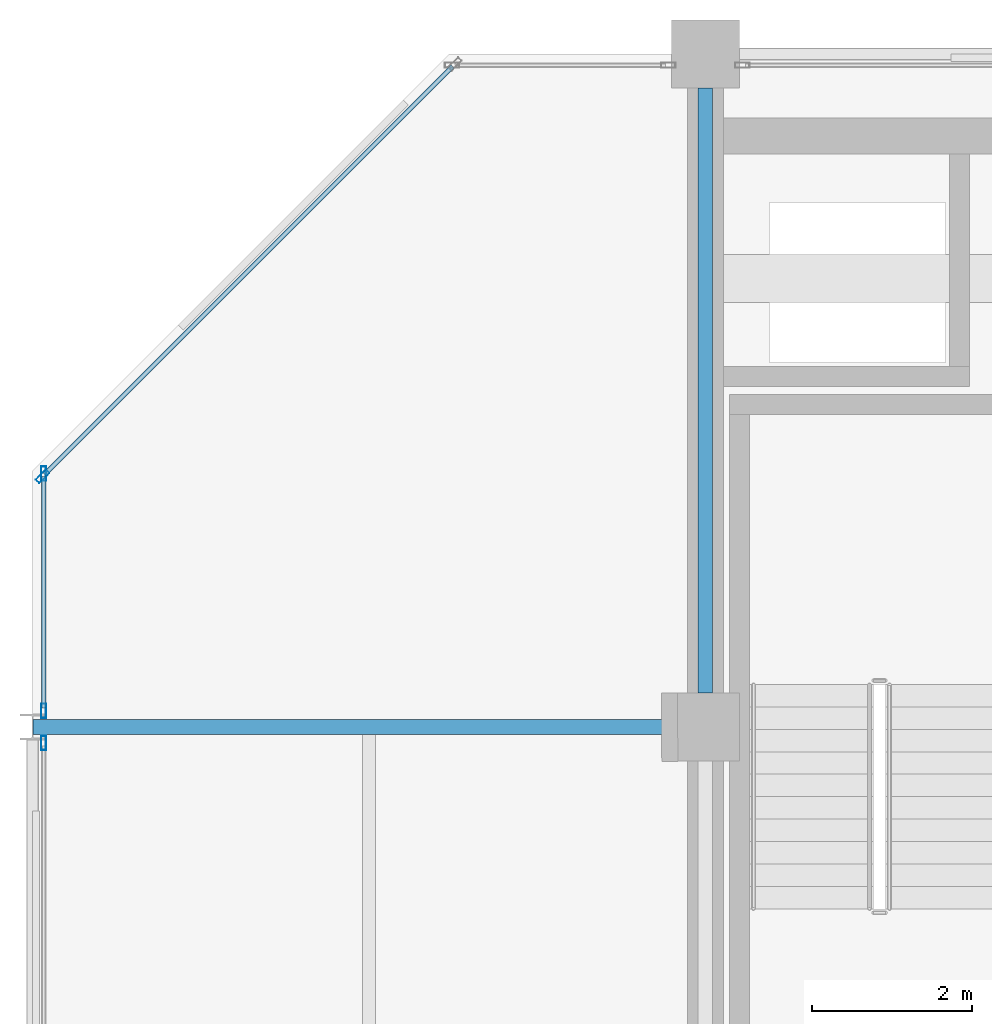
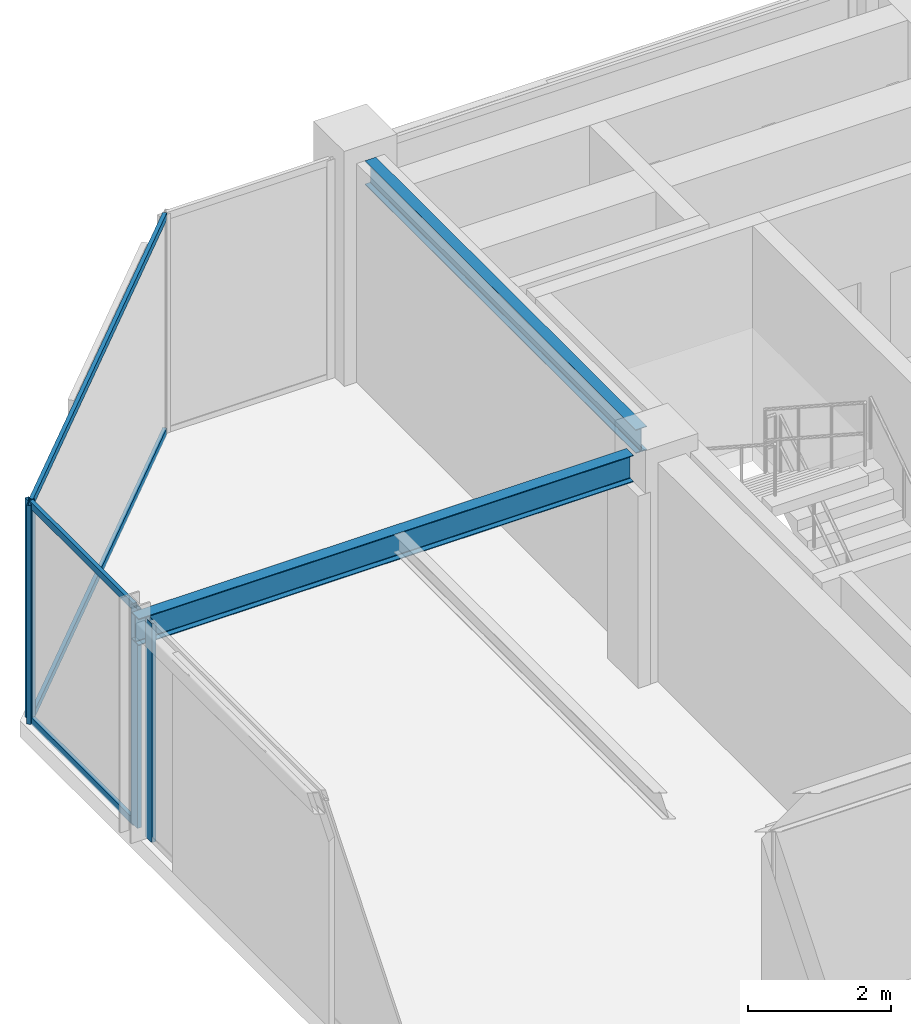
# One storey, part 17 of 26: 8 members, 2 beams, 3 elements without a shape of their own.
"""IFC4 building model written with IfcOpenShell, lengths in metres."""

from ifc_helpers import new_model, si_unit, direction, frame, origin, origin_2d, place, context, subcontext, project, spatial, hollow_rectangle, i_section, extrude, material, layer, layer_set, material_profile, profile_set, type_object, element, aggregate, save


model = new_model("IFC4")

# Units and contexts
model_context = context("Model", 3, precision=1e-05, world=origin(), true_north=direction((0.0, 1.0)))
body_context = subcontext(model_context, "Body", "Model", "MODEL_VIEW")
ifc_project = project(units=[si_unit("LENGTHUNIT", "METRE"), si_unit("AREAUNIT", "SQUARE_METRE"), si_unit("VOLUMEUNIT", "CUBIC_METRE"), si_unit("PLANEANGLEUNIT", "RADIAN"), si_unit("MASSUNIT", "GRAM", prefix="KILO")], contexts=[model_context])

# Site, building, storey
site_placement = place(None, origin())
site = spatial("IfcSite", under=ifc_project, at=site_placement, CompositionType="ELEMENT")
building_placement = place(site_placement, origin())
building = spatial("IfcBuilding", under=site, at=building_placement, Name="Nerrivon Quay Data Exchange", CompositionType="ELEMENT")
storey_placement = place(building_placement, frame((0.0, 0.0, 250.199951171875)))
storey = spatial("IfcBuildingStorey", under=building, at=storey_placement, Name="L59", CompositionType="ELEMENT", Elevation=250.199951171875)

# Beams
ifc_material_1 = material(Name="Steel Grade 350", Category="steel")
ifc_material_profile_1 = material_profile(ifc_material_1, i_section(OverallWidth=0.18994140625, OverallDepth=0.4541015625, WebThickness=0.008544921875, FlangeThickness=0.0126953125, FilletRadius=0.011474609375, at=origin_2d()), Name="460UB67.1")
ifc_profile_set_1 = profile_set([ifc_material_profile_1], Name="Steel Grade 350")
beam_type_1 = type_object("IfcBeamType", Name="BM-G6-460UB67", PredefinedType="BEAM", material=ifc_profile_set_1)
beam_1_placement = place(storey_placement, frame((0.0078125, 33.60009765625, 3.498046875), z_axis=(1.0, 0.0, 0.0), x_axis=(0.0, 1.0, 0.0)))
element("IfcBeam", 1, at=beam_1_placement, inside=storey, type_object=beam_type_1, Name="L59 EW Girder Y=33.6 (0.0..8.4)", PredefinedType="BEAM", context=body_context, shape_type="SweptSolid", body=[
    extrude(i_section(OverallWidth=0.18994140625, OverallDepth=0.4541015625, WebThickness=0.008544921875, FlangeThickness=0.0126953125, FilletRadius=0.011474609375, at=origin_2d()), origin(), (0.0, 0.0, 1.0), 7.96728515625),
])
ifc_material_profile_2 = material_profile(ifc_material_1, i_section(OverallWidth=0.177978515625, OverallDepth=0.406005859375, WebThickness=0.0078125, FlangeThickness=0.0126953125, FilletRadius=0.011474609375, at=origin_2d()), Name="410UB59.7")
ifc_profile_set_2 = profile_set([ifc_material_profile_2], Name="Steel Grade 350")
beam_type_2 = type_object("IfcBeamType", Name="BM-J1-410UB60", PredefinedType="JOIST", material=ifc_profile_set_2)
beam_2_placement = place(storey_placement, frame((8.39990234375, 34.02490234375, 3.52197265625), z_axis=(0.0, 1.0, 0.0), x_axis=(-1.0, 0.0, 0.0)))
element("IfcBeam", 2, at=beam_2_placement, inside=storey, type_object=beam_type_2, Name="L59 NS Girder X=8.4 (33.6..42.0)", PredefinedType="JOIST", context=body_context, shape_type="SweptSolid", body=[
    extrude(i_section(OverallWidth=0.177978515625, OverallDepth=0.406005859375, WebThickness=0.0078125, FlangeThickness=0.0126953125, FilletRadius=0.011474609375, at=origin_2d()), origin(), (0.0, 0.0, 1.0), 7.550048828125),
])

# Curtain wall, member
ifc_material_2 = material(Name="Anodised aluminium 6063-T6", Category="aluminium")
ifc_layer = layer(ifc_material_2, 0.195068359375)
ifc_layer_set = layer_set([ifc_layer], Name="Anodised aluminium 6063-T6")
curtain_wall_type = type_object("IfcCurtainWallType", Name="CW-SYS-06", PredefinedType="NOTDEFINED", material=ifc_layer_set)
curtain_wall_1_placement = place(storey_placement, origin())
curtain_wall_1 = element("IfcCurtainWall", 3, at=curtain_wall_1_placement, inside=storey, type_object=curtain_wall_type, Name="L59 Unitised Curtain Wall 14", PredefinedType="NOTDEFINED")
ifc_material_profile_3 = material_profile(ifc_material_2, hollow_rectangle(XDim=0.06494140625, YDim=0.179931640625, WallThickness=0.00341796875, at=origin_2d()), Name="ALU-MULL-180x65")
ifc_profile_set_3 = profile_set([ifc_material_profile_3], Name="Anodised aluminium 6063-T6")
member_type_1 = type_object("IfcMemberType", Name="CWM-180x65", PredefinedType="MULLION", material=ifc_profile_set_3)
member_1_placement = place(storey_placement, frame((0.139892578125, 33.39892578125, 0.0), z_axis=(0.0, 0.0, 1.0), x_axis=(-1.0, 0.0, 0.0)))
member_1 = element("IfcMember", 4, at=member_1_placement, type_object=member_type_1, Name="CW06 mullion 2", PredefinedType="MULLION", context=body_context, shape_type="SweptSolid", body=[
    extrude(hollow_rectangle(XDim=0.06494140625, YDim=0.179931640625, WallThickness=0.00341796875, at=origin_2d()), origin(), (0.0, 0.0, 1.0), 3.72509765625),
])
aggregate(curtain_wall_1, [member_1])

# Curtain wall, members
curtain_wall_2_placement = place(storey_placement, origin())
curtain_wall_2 = element("IfcCurtainWall", 5, at=curtain_wall_2_placement, inside=storey, type_object=curtain_wall_type, Name="L59 Unitised Curtain Wall 15", PredefinedType="NOTDEFINED")
member_2_placement = place(storey_placement, frame((0.139892578125, 33.801025390625, 0.0), z_axis=(0.0, 0.0, 1.0), x_axis=(-1.0, 0.0, 0.0)))
member_2 = element("IfcMember", 6, at=member_2_placement, type_object=member_type_1, Name="CW06 mullion 1", PredefinedType="MULLION", context=body_context, shape_type="SweptSolid", body=[
    extrude(hollow_rectangle(XDim=0.06494140625, YDim=0.179931640625, WallThickness=0.00341796875, at=origin_2d()), origin(), (0.0, 0.0, 1.0), 3.72509765625),
])
member_3_placement = place(storey_placement, frame((0.139892578125, 36.762451171875, 0.0), z_axis=(0.0, 0.0, 1.0), x_axis=(-1.0, 0.0, 0.0)))
member_3 = element("IfcMember", 7, at=member_3_placement, type_object=member_type_1, Name="CW06 mullion 2", PredefinedType="MULLION", context=body_context, shape_type="SweptSolid", body=[
    extrude(hollow_rectangle(XDim=0.06494140625, YDim=0.179931640625, WallThickness=0.00341796875, at=origin_2d()), origin(), (0.0, 0.0, 1.0), 3.72509765625),
])

# Curtain wall, member
curtain_wall_3_placement = place(storey_placement, origin())
curtain_wall_3 = element("IfcCurtainWall", 8, at=curtain_wall_3_placement, inside=storey, type_object=curtain_wall_type, Name="L59 Unitised Curtain Wall 16", PredefinedType="NOTDEFINED")
member_4_placement = place(storey_placement, frame((0.12548828125, 36.7275390625, 0.0), z_axis=(0.0, 0.0, 1.0), x_axis=(-0.707106781187, 0.707106781187, 0.0)))
member_4 = element("IfcMember", 9, at=member_4_placement, type_object=member_type_1, Name="CW06 mullion 1", PredefinedType="MULLION", context=body_context, shape_type="SweptSolid", body=[
    extrude(hollow_rectangle(XDim=0.06494140625, YDim=0.179931640625, WallThickness=0.00341796875, at=origin_2d()), origin(), (0.0, 0.0, 1.0), 3.72509765625),
])

# Member
ifc_material_profile_4 = material_profile(ifc_material_2, hollow_rectangle(XDim=0.06005859375, YDim=0.1201171875, WallThickness=0.003173828125, at=origin_2d()), Name="ALU-TRAN-120x60")
ifc_profile_set_4 = profile_set([ifc_material_profile_4], Name="Anodised aluminium 6063-T6")
member_type_2 = type_object("IfcMemberType", Name="CWT-120x60", PredefinedType="USERDEFINED", material=ifc_profile_set_4)
member_5_placement = place(storey_placement, frame((0.139892578125, 33.83837890625, 0.032470703125), z_axis=(0.0, 1.0, 0.0), x_axis=(-1.0, 0.0, 0.0)))
member_5 = element("IfcMember", 10, at=member_5_placement, type_object=member_type_2, Name="CW06 transom 1.1", ObjectType="TRANSOM", PredefinedType="USERDEFINED", context=body_context, shape_type="SweptSolid", body=[
    extrude(hollow_rectangle(XDim=0.06005859375, YDim=0.1201171875, WallThickness=0.003173828125, at=origin_2d()), origin(), (0.0, 0.0, 1.0), 2.88671875),
])

member_6_placement = place(storey_placement, frame((0.139892578125, 33.83837890625, 3.692626953125), z_axis=(0.0, 1.0, 0.0), x_axis=(-1.0, 0.0, 0.0)))
member_6 = element("IfcMember", 11, at=member_6_placement, type_object=member_type_2, Name="CW06 transom 1.2", ObjectType="TRANSOM", PredefinedType="USERDEFINED", context=body_context, shape_type="SweptSolid", body=[
    extrude(hollow_rectangle(XDim=0.06005859375, YDim=0.1201171875, WallThickness=0.003173828125, at=origin_2d()), origin(), (0.0, 0.0, 1.0), 2.88671875),
])

aggregate(curtain_wall_2, [member_2, member_3, member_5, member_6])

member_7_placement = place(storey_placement, frame((0.152099609375, 36.754150390625, 0.032470703125), z_axis=(0.707106781187, 0.707106781187, 0.0), x_axis=(-0.707106781187, 0.707106781187, 0.0)))
member_7 = element("IfcMember", 12, at=member_7_placement, type_object=member_type_2, Name="CW06 transom 1.1", ObjectType="TRANSOM", PredefinedType="USERDEFINED", context=body_context, shape_type="SweptSolid", body=[
    extrude(hollow_rectangle(XDim=0.06005859375, YDim=0.1201171875, WallThickness=0.003173828125, at=origin_2d()), origin(), (0.0, 0.0, 1.0), 7.20361328125),
])

member_8_placement = place(storey_placement, frame((0.152099609375, 36.754150390625, 3.692626953125), z_axis=(0.707106781187, 0.707106781187, 0.0), x_axis=(-0.707106781187, 0.707106781187, 0.0)))
member_8 = element("IfcMember", 13, at=member_8_placement, type_object=member_type_2, Name="CW06 transom 1.2", ObjectType="TRANSOM", PredefinedType="USERDEFINED", context=body_context, shape_type="SweptSolid", body=[
    extrude(hollow_rectangle(XDim=0.06005859375, YDim=0.1201171875, WallThickness=0.003173828125, at=origin_2d()), origin(), (0.0, 0.0, 1.0), 7.20361328125),
])

aggregate(curtain_wall_3, [member_4, member_7, member_8])

save(model, "model.ifc")
